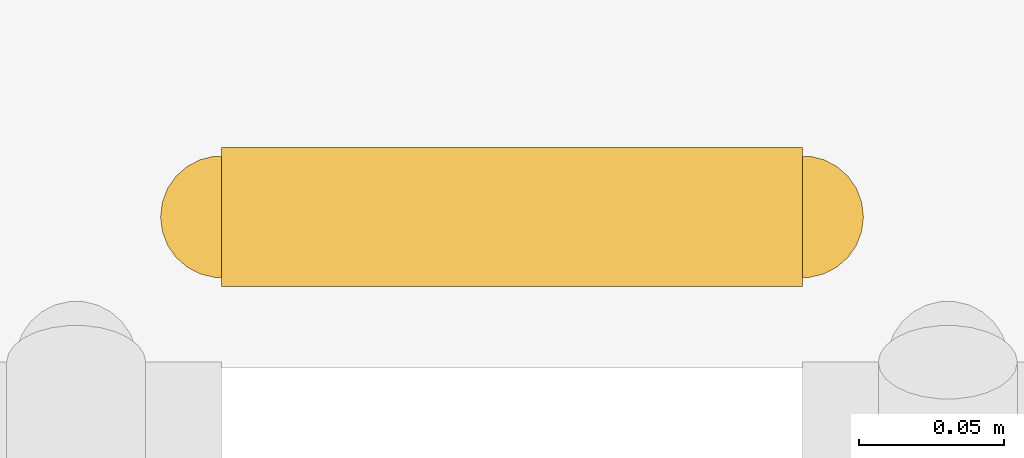
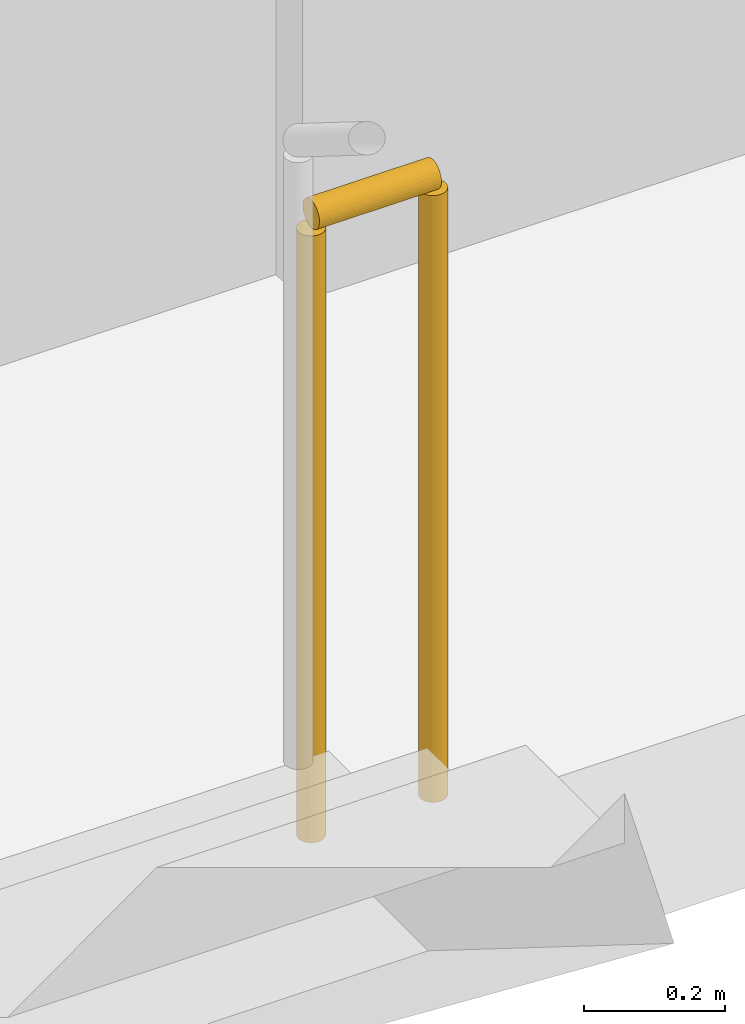
# One storey, part 20 of 22: 1 railing.
"""IFC4 building model written with IfcOpenShell, lengths in metres."""

from ifc_helpers import new_model, si_unit, direction, frame, origin, origin_2d, place, context, subcontext, project, spatial, circle, extrude, material, type_object, element, save


model = new_model("IFC4")

# Units and contexts
model_context = context("Model", 3, precision=1e-05, world=origin(), true_north=direction((0.0, 1.0)))
body_context = subcontext(model_context, "Body", "Model", "MODEL_VIEW")
ifc_project = project(units=[si_unit("LENGTHUNIT", "METRE"), si_unit("AREAUNIT", "SQUARE_METRE"), si_unit("VOLUMEUNIT", "CUBIC_METRE"), si_unit("PLANEANGLEUNIT", "RADIAN"), si_unit("MASSUNIT", "GRAM", prefix="KILO")], contexts=[model_context])

# Site, building, storey
site_placement = place(None, origin())
site = spatial("IfcSite", under=ifc_project, at=site_placement, CompositionType="ELEMENT")
building_placement = place(site_placement, origin())
building = spatial("IfcBuilding", under=site, at=building_placement, Name="Kiln Ring Residences", CompositionType="ELEMENT")
storey_placement = place(building_placement, frame((0.0, 0.0, 65.5)))
storey = spatial("IfcBuildingStorey", under=building, at=storey_placement, Name="L16", CompositionType="ELEMENT", Elevation=65.5)

# Railing
ifc_material = material(Name="Stainless steel", Category="steel")
railing_type = type_object("IfcRailingType", Name="CORE-STAIR-GUARD", PredefinedType="GUARDRAIL", material=ifc_material)
railing_placement = place(storey_placement, frame((-22.199951171875, 8.449951171875, 0.0)))
element("IfcRailing", 1, at=railing_placement, inside=storey, type_object=railing_type, Name="L16 W-STN stair guard 4", PredefinedType="GUARDRAIL", context=body_context, shape_type="SweptSolid", body=[
    extrude(circle(Radius=0.02392578125, at=origin_2d()), frame((0.0, 0.0, 1.076171875), z_axis=(1.0, 0.0, 0.0), x_axis=(0.0, 1.0, 0.0)), (0.0, 0.0, 1.0), 0.199951171875),
    extrude(circle(Radius=0.02099609375, at=origin_2d()), origin(), (0.0, 0.0, 1.0), 1.052001953125),
    extrude(circle(Radius=0.02099609375, at=origin_2d()), frame((0.199951171875, 0.0, 0.0)), (0.0, 0.0, 1.0), 1.052001953125),
])

save(model, "model.ifc")
